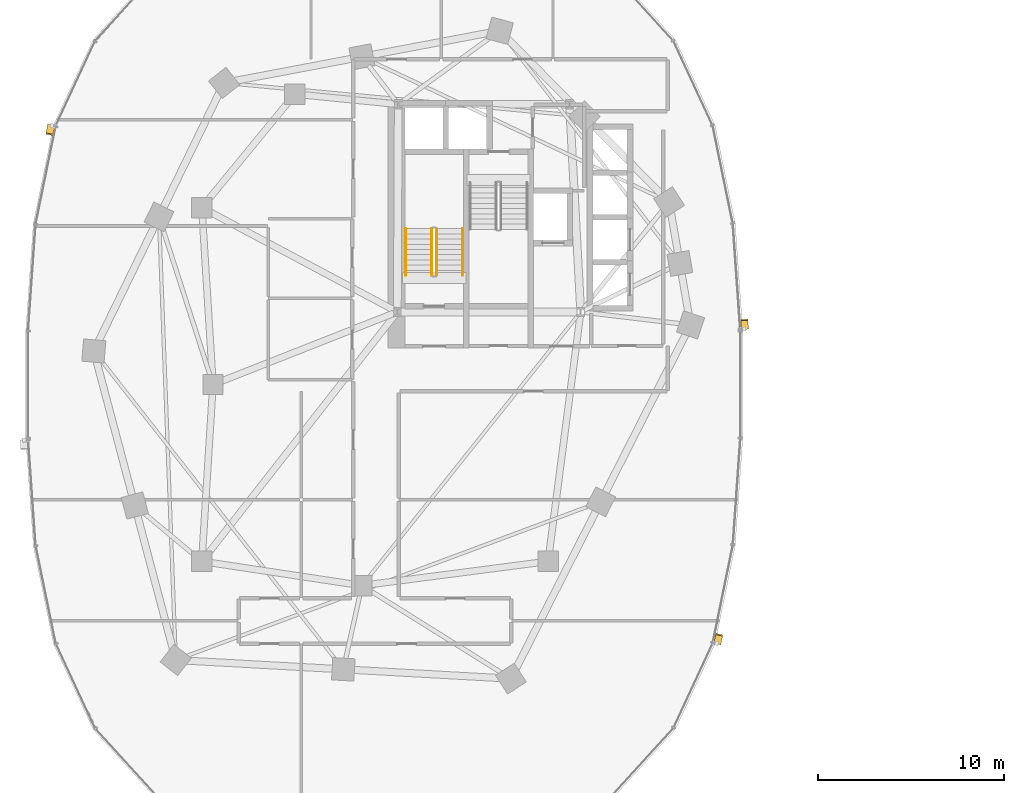
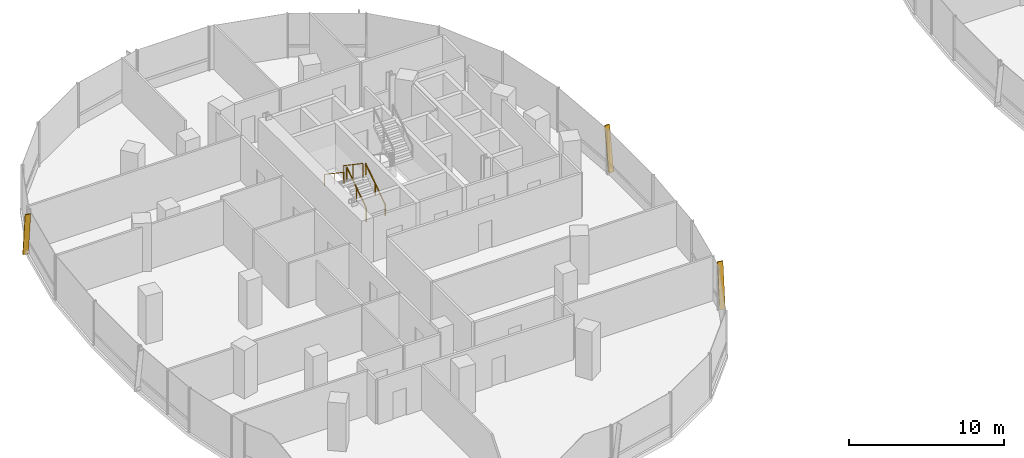
# One storey, part 19 of 22: 4 railings, 3 shading devices.
"""IFC4 building model written with IfcOpenShell, lengths in metres."""

from ifc_helpers import new_model, si_unit, direction, frame, origin, origin_2d, place, context, subcontext, project, spatial, rectangle, extrude, material, material_profile, profile_set, type_object, element, save


model = new_model("IFC4")

# Units and contexts
model_context = context("Model", 3, precision=1e-05, world=origin(), true_north=direction((0.0, 1.0)))
body_context = subcontext(model_context, "Body", "Model", "MODEL_VIEW")
ifc_project = project(units=[si_unit("LENGTHUNIT", "METRE"), si_unit("AREAUNIT", "SQUARE_METRE"), si_unit("VOLUMEUNIT", "CUBIC_METRE"), si_unit("PLANEANGLEUNIT", "RADIAN"), si_unit("MASSUNIT", "GRAM", prefix="KILO"), si_unit("THERMODYNAMICTEMPERATUREUNIT", "KELVIN"), si_unit("POWERUNIT", "WATT")], contexts=[model_context])

# Site, building, storey
site_placement = place(None, origin())
site = spatial("IfcSite", under=ifc_project, at=site_placement, CompositionType="ELEMENT")
building_placement = place(site_placement, origin())
building = spatial("IfcBuilding", under=site, at=building_placement, Name="Cundina Bronze Exchange", CompositionType="ELEMENT")
storey_placement = place(building_placement, frame((0.0, 0.0, 39.199951171875)))
storey = spatial("IfcBuildingStorey", under=building, at=storey_placement, Name="L09", CompositionType="ELEMENT", Elevation=39.199951171875)

# Railings
ifc_material_1 = material(Name="Steel ASTM A36 Painted", Category="steel")
railing_type_1 = type_object("IfcRailingType", Name="RLG-HND-900", PredefinedType="HANDRAIL", material=ifc_material_1)
railing_1_placement = place(storey_placement, frame((-27.7900390625, 5.85009765625, 0.18994140625)))
element("IfcRailing", 1, at=railing_1_placement, inside=storey, type_object=railing_type_1, Name="L09 ST-W1 stair handrail 1", PredefinedType="HANDRAIL", context=body_context, shape_type="SweptSolid", body=[
    extrude(rectangle(XDim=0.048095703125, YDim=0.048095703125, at=origin_2d()), frame((0.0, 0.0, 0.8759765625), z_axis=(0.0, 0.82744650838, 0.561544544778), x_axis=(-1.0, 0.0, 0.0)), (0.0, 0.0, 1.0), 3.045654296875),
    extrude(rectangle(XDim=0.0419921875, YDim=0.0419921875, at=origin_2d()), origin(), (0.0, 0.0, 1.0), 0.851806640625),
    extrude(rectangle(XDim=0.0419921875, YDim=0.0419921875, at=origin_2d()), frame((0.0, 1.260009765625, 0.85498046875)), (0.0, 0.0, 1.0), 0.851806640625),
    extrude(rectangle(XDim=0.0419921875, YDim=0.0419921875, at=origin_2d()), frame((0.0, 2.52001953125, 1.710205078125)), (0.0, 0.0, 1.0), 0.851806640625),
])
railing_2_placement = place(storey_placement, frame((-30.85009765625, 8.3701171875, 2.090087890625)))
element("IfcRailing", 2, at=railing_2_placement, inside=storey, type_object=railing_type_1, Name="L09 ST-W1 stair handrail 2", PredefinedType="HANDRAIL", context=body_context, shape_type="SweptSolid", body=[
    extrude(rectangle(XDim=0.048095703125, YDim=0.048095703125, at=origin_2d()), frame((0.0, 0.0, 0.8759765625), z_axis=(0.0, -0.827483756001, 0.561489655786), x_axis=(1.0, 0.0, 0.0)), (0.0, 0.0, 1.0), 3.04541015625),
    extrude(rectangle(XDim=0.0419921875, YDim=0.0419921875, at=origin_2d()), origin(), (0.0, 0.0, 1.0), 0.851806640625),
    extrude(rectangle(XDim=0.0419921875, YDim=0.0419921875, at=origin_2d()), frame((0.0, -1.260009765625, 0.85498046875)), (0.0, 0.0, 1.0), 0.851806640625),
    extrude(rectangle(XDim=0.0419921875, YDim=0.0419921875, at=origin_2d()), frame((0.0, -2.52001953125, 1.7099609375)), (0.0, 0.0, 1.0), 0.851806640625),
])
railing_type_2 = type_object("IfcRailingType", Name="RLG-STG-1100", PredefinedType="GUARDRAIL", material=ifc_material_1)
railing_3_placement = place(storey_placement, frame((-29.18994140625, 5.85009765625, 0.18994140625)))
element("IfcRailing", 3, at=railing_3_placement, inside=storey, type_object=railing_type_2, Name="L09 ST-W1 stair guard 1", PredefinedType="GUARDRAIL", context=body_context, shape_type="SweptSolid", body=[
    extrude(rectangle(XDim=0.048095703125, YDim=0.048095703125, at=origin_2d()), frame((0.0, 0.0, 1.076171875), z_axis=(0.0, 0.82744650838, 0.561544544778), x_axis=(-1.0, 0.0, 0.0)), (0.0, 0.0, 1.0), 3.045654296875),
    extrude(rectangle(XDim=0.0419921875, YDim=0.0419921875, at=origin_2d()), origin(), (0.0, 0.0, 1.0), 1.052001953125),
    extrude(rectangle(XDim=0.0419921875, YDim=0.0419921875, at=origin_2d()), frame((0.0, 1.260009765625, 0.85498046875)), (0.0, 0.0, 1.0), 1.052001953125),
    extrude(rectangle(XDim=0.0419921875, YDim=0.0419921875, at=origin_2d()), frame((0.0, 2.52001953125, 1.710205078125)), (0.0, 0.0, 1.0), 1.052001953125),
])
railing_4_placement = place(storey_placement, frame((-29.449951171875, 8.3701171875, 2.090087890625)))
element("IfcRailing", 4, at=railing_4_placement, inside=storey, type_object=railing_type_2, Name="L09 ST-W1 stair guard 3", PredefinedType="GUARDRAIL", context=body_context, shape_type="SweptSolid", body=[
    extrude(rectangle(XDim=0.048095703125, YDim=0.048095703125, at=origin_2d()), frame((0.0, 0.0, 1.076171875), z_axis=(0.0, -0.827483756001, 0.561489655786), x_axis=(1.0, 0.0, 0.0)), (0.0, 0.0, 1.0), 3.04541015625),
    extrude(rectangle(XDim=0.0419921875, YDim=0.0419921875, at=origin_2d()), origin(), (0.0, 0.0, 1.0), 1.052001953125),
    extrude(rectangle(XDim=0.0419921875, YDim=0.0419921875, at=origin_2d()), frame((0.0, -1.260009765625, 0.85498046875)), (0.0, 0.0, 1.0), 1.052001953125),
    extrude(rectangle(XDim=0.0419921875, YDim=0.0419921875, at=origin_2d()), frame((0.0, -2.52001953125, 1.7099609375)), (0.0, 0.0, 1.0), 1.052001953125),
])

# Shading devices
ifc_material_2 = material(Name="Anodised Bronze Aluminium 6063-T6", Category="aluminium")
ifc_material_profile = material_profile(ifc_material_2, rectangle(XDim=0.070068359375, YDim=0.3798828125, at=origin_2d()), Name="FIN70X380", Category="aluminium")
ifc_profile_set = profile_set([ifc_material_profile], Name="Anodised Bronze Aluminium 6063-T6")
shading_device_type = type_object("IfcShadingDeviceType", Name="SHD-FIN-BRZ380", PredefinedType="USERDEFINED", material=ifc_profile_set)
for number, where, z_axis, x_axis, name in (
    (5, (-12.6259765625, 2.993896484375, 0.02001953125), (-0.009645159174, 0.137059109714, 0.990515911709), (0.06953288269, -0.988072340253, 0.137398066402), "L09 Diagonal Bronze Solar Fin 1"),
    (6, (-49.89599609375, 13.911865234375, 0.02001953125), (-0.027747134956, -0.134612045151, 0.990509815096), (0.199966585563, 0.970114971774, 0.137442010309), "L09 Diagonal Bronze Solar Fin 5"),
    (7, (-14.10400390625, -13.911865234375, 0.02001953125), (0.027747134956, 0.134612045151, 0.990509815096), (-0.199966585563, -0.970114971774, 0.137442010309), "L09 Diagonal Bronze Solar Fin 5"),
):
    element("IfcShadingDevice", number, at=place(storey_placement, frame(where, z_axis=z_axis, x_axis=x_axis)), inside=storey, type_object=shading_device_type, Name=name, ObjectType="FIN", PredefinedType="USERDEFINED", context=body_context, shape_type="SweptSolid", body=[
        extrude(rectangle(XDim=0.070068359375, YDim=0.3798828125, at=origin_2d()), origin(), (0.0, 0.0, 1.0), 3.4931640625),
    ])

save(model, "model.ifc")
